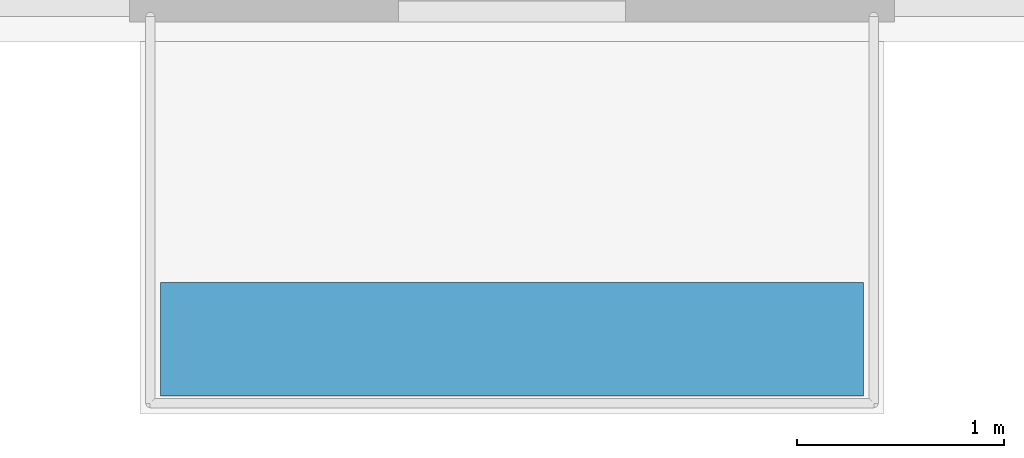
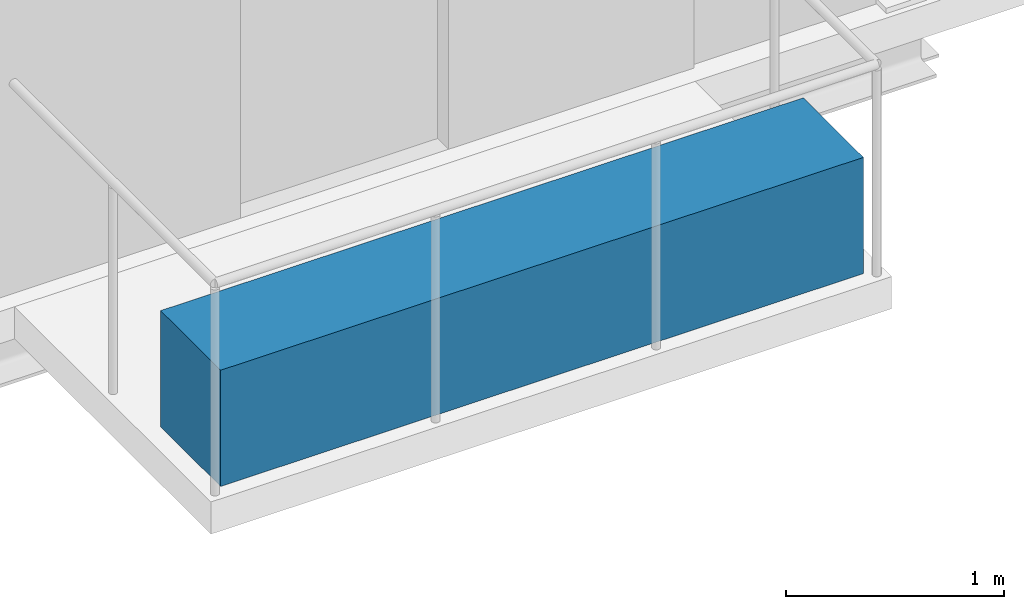
# One storey, part 18 of 19: 1 discrete accessory.
"""IFC4 building model written with IfcOpenShell, lengths in metres."""

from ifc_helpers import new_model, si_unit, direction, frame, origin, origin_2d, place, context, subcontext, project, spatial, rectangle, extrude, material, layer, layer_set, type_object, element, save


model = new_model("IFC4")

# Units and contexts
model_context = context("Model", 3, precision=1e-05, world=origin(), true_north=direction((0.0, 1.0)))
body_context = subcontext(model_context, "Body", "Model", "MODEL_VIEW")
ifc_project = project(units=[si_unit("LENGTHUNIT", "METRE"), si_unit("AREAUNIT", "SQUARE_METRE"), si_unit("VOLUMEUNIT", "CUBIC_METRE"), si_unit("PLANEANGLEUNIT", "RADIAN"), si_unit("MASSUNIT", "GRAM", prefix="KILO")], contexts=[model_context])

# Site, building, storey
site_placement = place(None, origin())
site = spatial("IfcSite", under=ifc_project, at=site_placement, CompositionType="ELEMENT")
building_placement = place(site_placement, origin())
building = spatial("IfcBuilding", under=site, at=building_placement, Name="Noeulbin Bourse Tower", CompositionType="ELEMENT")
storey_placement = place(building_placement, frame((0.0, 0.0, 150.0)))
storey = spatial("IfcBuildingStorey", under=building, at=storey_placement, Name="L37", CompositionType="ELEMENT", Elevation=150.0)

# Discrete accessory
ifc_material = material(Name="Architectural GFRC Concrete C40/50", Category="concrete")
ifc_layer = layer(ifc_material, 0.64990234375)
ifc_layer_set = layer_set([ifc_layer], Name="Architectural GFRC Concrete C40/50")
discrete_accessory_type = type_object("IfcDiscreteAccessoryType", Name="PLANTER-BOX-3600", PredefinedType="USERDEFINED", material=ifc_layer_set)
discrete_accessory_placement = place(storey_placement, frame((40.75, 14.56005859375, 0.0), z_axis=(0.0, 0.0, 1.0), x_axis=(1.0, 0.0, 0.0)))
element("IfcDiscreteAccessory", 1, at=discrete_accessory_placement, inside=storey, type_object=discrete_accessory_type, Name="Integrated Balcony Tree Planter Box L37", ObjectType="PLANTER", PredefinedType="USERDEFINED", context=body_context, shape_type="SweptSolid", body=[
    extrude(rectangle(XDim=3.39990234375, YDim=0.550048828125, at=origin_2d()), origin(), (0.0, 0.0, 1.0), 0.64990234375),
])

save(model, "model.ifc")
